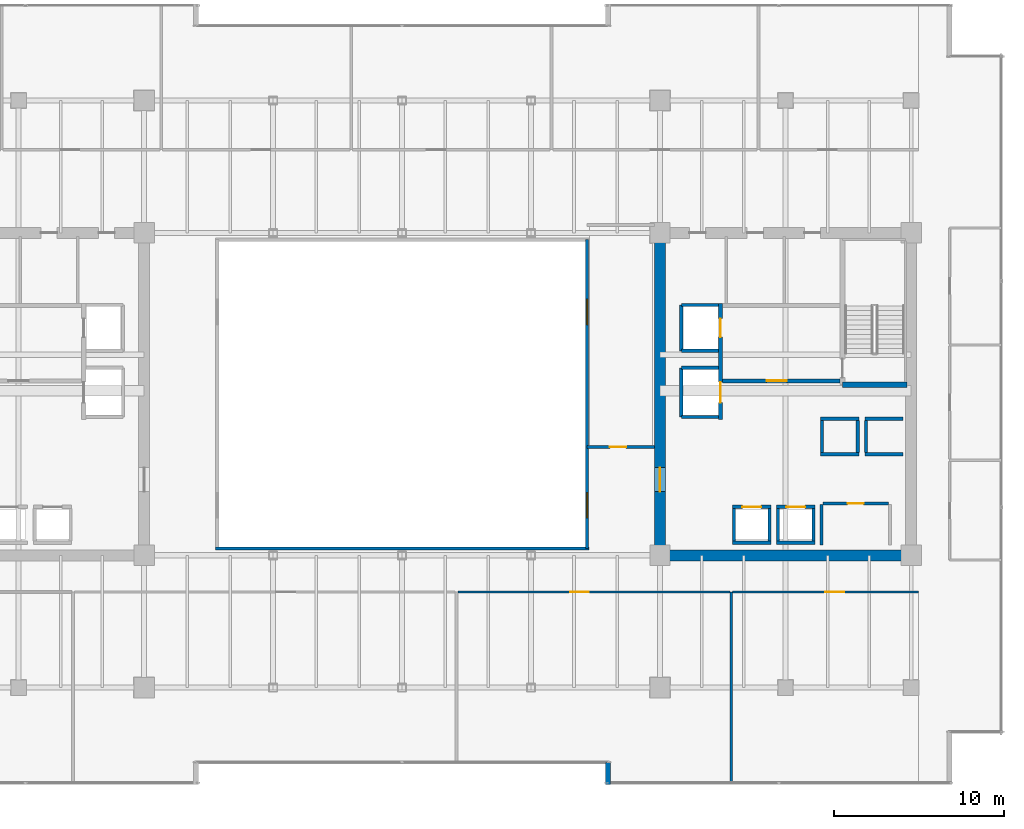
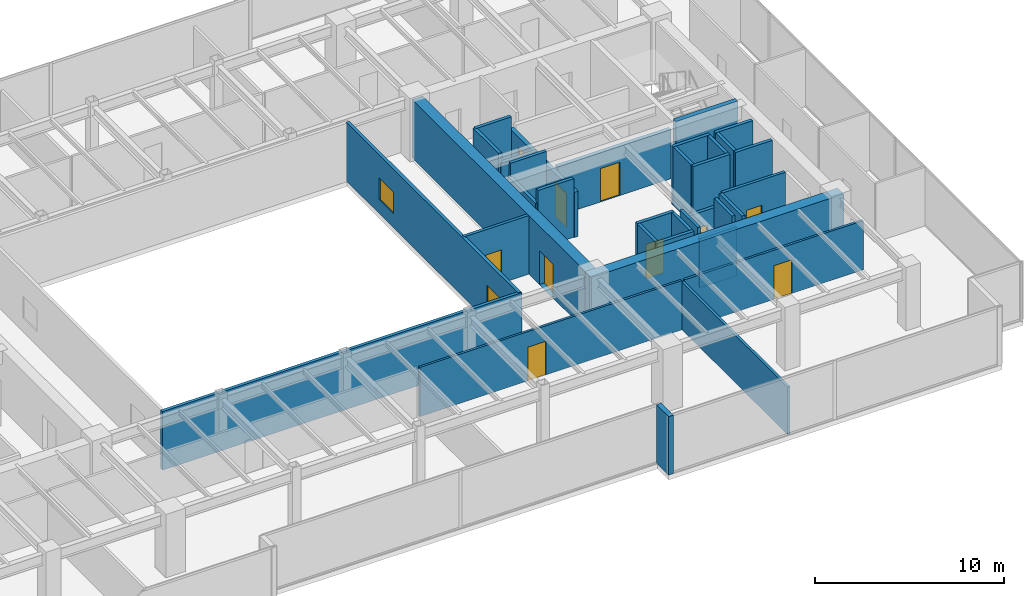
# One storey, part 26 of 33: 35 walls, 10 doors, 2 windows, 12 openings.
"""IFC4 building model written with IfcOpenShell, lengths in metres."""

import ifcopenshell
import ifcopenshell.guid

model = None  # the IFC model being written
_history = None  # IfcOwnerHistory: only IFC2X3 demands one
_inside = {}  # id of a spatial element -> (the spatial element, [elements in it])
_under = {}  # id of a project, library or spatial element -> (it, [spatial elements below it])
_declared = {}  # id of a project -> (the project, [libraries it declares])
_typed = {}  # id of a type object -> (the type object, [elements of that type])
_made_of = {}  # id of a material, layer set ... -> (it, [elements and type objects made of it])


def new_model(schema):
    """Start an empty IFC model of exactly this schema.

    Asked for "IFC4X3", IfcOpenShell would pick the latest addendum, in which some entities
    have other attributes; the version numbers below select the first issue.
    IFC2X3 requires an IfcOwnerHistory on every rooted entity: one is made here for all.
    """
    global model, _history
    if schema == "IFC4X3":
        model = ifcopenshell.file(schema_version=(4, 3, 0, 0))
    else:
        model = ifcopenshell.file(schema=schema)
    _inside.clear()
    _under.clear()
    _declared.clear()
    _typed.clear()
    _made_of.clear()
    _history = None
    if model.schema == "IFC2X3":
        org = make("IfcOrganization", Name="unknown")
        user = make(
            "IfcPersonAndOrganization",
            ThePerson=make("IfcPerson", FamilyName="unknown"),
            TheOrganization=org,
        )
        app = make(
            "IfcApplication",
            ApplicationDeveloper=org,
            Version="unknown",
            ApplicationFullName="unknown",
            ApplicationIdentifier="unknown",
        )
        _history = make(
            "IfcOwnerHistory",
            OwningUser=user,
            OwningApplication=app,
            ChangeAction="ADDED",
            CreationDate=0,
        )
    return model


def make(cls, **values):
    """One entity of the class cls with the attributes given. An attribute that is None is left unset."""
    return model.create_entity(
        cls, **{name: value for name, value in values.items() if value is not None}
    )


def rooted(cls, **values):
    """An entity with a GlobalId (a new one), such as an element, a storey or a relation."""
    return make(cls, GlobalId=ifcopenshell.guid.new(), OwnerHistory=_history, **values)


def si_unit(unit_type, name, prefix=None):
    """IfcSIUnit, for example si_unit("LENGTHUNIT", "METRE", prefix="MILLI")."""
    return make("IfcSIUnit", UnitType=unit_type, Prefix=prefix, Name=name)


def assignment(units):
    """IfcUnitAssignment: the units of a project."""
    return None if units is None else make("IfcUnitAssignment", Units=units)


def point(xyz):
    """IfcCartesianPoint."""
    return None if xyz is None else make("IfcCartesianPoint", Coordinates=xyz)


def direction(xyz):
    """IfcDirection."""
    return None if xyz is None else make("IfcDirection", DirectionRatios=xyz)


def frame(location, z_axis=None, x_axis=None):
    """IfcAxis2Placement3D, a coordinate frame: its origin and axes. An axis left out is left unset."""
    return make(
        "IfcAxis2Placement3D",
        Location=point(location),
        Axis=direction(z_axis),
        RefDirection=direction(x_axis),
    )


def frame_2d(location, x_axis=None):
    """IfcAxis2Placement2D, a coordinate frame in the plane: its origin and x axis."""
    return make(
        "IfcAxis2Placement2D", Location=point(location), RefDirection=direction(x_axis)
    )


def origin():
    """The frame at (0, 0, 0) with its axes left unset."""
    return frame((0.0, 0.0, 0.0))


def place(relative_to, where):
    """IfcLocalPlacement: puts the frame where relative to a parent placement (None: the world)."""
    return make(
        "IfcLocalPlacement", PlacementRelTo=relative_to, RelativePlacement=where
    )


def context(
    kind, dimensions, precision=None, world=None, true_north=None, identifier=None
):
    """IfcGeometricRepresentationContext, for example the 3D "Model" context."""
    return make(
        "IfcGeometricRepresentationContext",
        ContextIdentifier=identifier,
        ContextType=kind,
        CoordinateSpaceDimension=dimensions,
        Precision=precision,
        WorldCoordinateSystem=world,
        TrueNorth=true_north,
    )


def subcontext(parent, identifier, kind, view, scale=None):
    """IfcGeometricRepresentationSubContext, for example "Body" below "Model"."""
    return make(
        "IfcGeometricRepresentationSubContext",
        ContextIdentifier=identifier,
        ContextType=kind,
        ParentContext=parent,
        TargetScale=scale,
        TargetView=view,
    )


def project(units=None, contexts=None):
    """IfcProject with its units and contexts."""
    return rooted(
        "IfcProject",
        Name="project",
        RepresentationContexts=contexts,
        UnitsInContext=assignment(units),
    )


def spatial(cls, under=None, at=None, **own):
    """A site, building, storey or space (cls), placed at a placement, below another one or the project."""
    s = rooted(cls, ObjectPlacement=at, **own)
    if under is not None:
        _under.setdefault(under.id(), (under, []))[1].append(s)
    return s


def profile(cls, at=None, kind="AREA", **sizes):
    """A parametric profile (cls). Its sizes go by their IFC names, for example OverallWidth=200.0."""
    return make(cls, ProfileType=kind, Position=at, **sizes)


def rectangle(**sizes):
    """IfcRectangleProfileDef."""
    return profile("IfcRectangleProfileDef", **sizes)


def extrude(swept, where, along, depth):
    """IfcExtrudedAreaSolid: the profile swept, set in the frame where, extruded along a direction by depth."""
    return make(
        "IfcExtrudedAreaSolid",
        SweptArea=swept,
        Position=where,
        ExtrudedDirection=direction(along),
        Depth=depth,
    )


def shape(context_of_items, identifier, shape_type, items):
    """IfcShapeRepresentation: the items that make up one representation, for example the "Body"."""
    return make(
        "IfcShapeRepresentation",
        ContextOfItems=context_of_items,
        RepresentationIdentifier=identifier,
        RepresentationType=shape_type,
        Items=items,
    )


def source(mapping_origin, context_of_items, identifier, shape_type, items):
    """IfcRepresentationMap: a shape defined once, which mapped items show again and again."""
    return make(
        "IfcRepresentationMap",
        MappingOrigin=mapping_origin,
        MappedRepresentation=shape(context_of_items, identifier, shape_type, items),
    )


def transform(
    local_origin,
    x_axis=None,
    y_axis=None,
    z_axis=None,
    scale=None,
    scale2=None,
    scale3=None,
    uniform=True,
):
    """IfcCartesianTransformationOperator3D, or its non-uniform kind. x_axis, y_axis, z_axis: its Axis1, 2, 3."""
    if uniform:
        return make(
            "IfcCartesianTransformationOperator3D",
            Axis1=direction(x_axis),
            Axis2=direction(y_axis),
            LocalOrigin=point(local_origin),
            Scale=scale,
            Axis3=direction(z_axis),
        )
    return make(
        "IfcCartesianTransformationOperator3DnonUniform",
        Axis1=direction(x_axis),
        Axis2=direction(y_axis),
        LocalOrigin=point(local_origin),
        Scale=scale,
        Axis3=direction(z_axis),
        Scale2=scale2,
        Scale3=scale3,
    )


def mapped(mapping_source, mapping_target):
    """IfcMappedItem: shows the shape of a source again, moved by a transform."""
    return make(
        "IfcMappedItem", MappingSource=mapping_source, MappingTarget=mapping_target
    )


def material(Name=None, Category=None):
    """IfcMaterial."""
    return make("IfcMaterial", Name=Name, Category=Category)


def layer(
    of_material, thickness, ventilated=None, Name=None, Category=None, Priority=None
):
    """IfcMaterialLayer: one layer of a wall or slab, of a material (None: an air gap)."""
    return make(
        "IfcMaterialLayer",
        Material=of_material,
        LayerThickness=thickness,
        IsVentilated=ventilated,
        Name=Name,
        Category=Category,
        Priority=Priority,
    )


def layer_set(layers, Name=None):
    """IfcMaterialLayerSet."""
    return make("IfcMaterialLayerSet", MaterialLayers=layers, LayerSetName=Name)


def made_of(thing, what):
    """Note that an element or type object is made of a material, layer set ...; save() writes the relation."""
    if what is not None:
        _made_of.setdefault(what.id(), (what, []))[1].append(thing)
    return thing


def type_object(cls, material=None, **own):
    """A type object (cls), such as IfcWallType, which elements share."""
    return made_of(rooted(cls, **own), material)


def type_shapes(of_type, sources):
    """Give a type object the sources (RepresentationMaps) that its elements show as mapped items."""
    of_type.RepresentationMaps = sources


def element(
    cls,
    number,
    at=None,
    inside=None,
    cuts=None,
    type_object=None,
    material=None,
    context=None,
    identifier="Body",
    shape_type=None,
    held_by="IfcProductDefinitionShape",
    body=None,
    shapes=None,
    **own,
):
    """One element of the class cls, such as IfcWall. Its Tag is "e" and its number.

    at: its placement. inside: the storey or other place that contains it. cuts: it is an
    opening in that element (IfcRelVoidsElement). A single representation is given by context,
    identifier, shape_type and body (its items); several are given by shapes. held_by: the class
    of the entity that holds the representations. save() writes the other relations.
    """
    e = rooted(cls, Tag="e%d" % number, ObjectPlacement=at, **own)
    if body is not None:
        shapes = [shape(context, identifier, shape_type, body)]
    if shapes is not None:
        e.Representation = make(held_by, Representations=shapes)
    if inside is not None:
        _inside.setdefault(inside.id(), (inside, []))[1].append(e)
    if cuts is not None:
        rooted(
            "IfcRelVoidsElement", RelatingBuildingElement=cuts, RelatedOpeningElement=e
        )
    if type_object is not None:
        _typed.setdefault(type_object.id(), (type_object, []))[1].append(e)
    return made_of(e, material)


def fill(opening, filler):
    """IfcRelFillsElement: the door or window that sits in an opening."""
    return rooted(
        "IfcRelFillsElement",
        RelatingOpeningElement=opening,
        RelatedBuildingElement=filler,
    )


def aggregate(whole, parts):
    """IfcRelAggregates: a whole, such as a stair, and the parts it consists of."""
    return rooted("IfcRelAggregates", RelatingObject=whole, RelatedObjects=parts)


def save(model, path):
    """Write the relations noted so far, then the file.

    IfcRelAggregates (storeys below a building ...), IfcRelContainedInSpatialStructure (elements
    in a storey), IfcRelDefinesByType, IfcRelAssociatesMaterial and IfcRelDeclares: one each for
    every whole, place, type object, material and project.
    """
    for whole, parts in _under.values():
        aggregate(whole, parts)
    for where, things in _inside.values():
        rooted(
            "IfcRelContainedInSpatialStructure",
            RelatedElements=things,
            RelatingStructure=where,
        )
    for kind, things in _typed.values():
        rooted("IfcRelDefinesByType", RelatedObjects=things, RelatingType=kind)
    for what, things in _made_of.values():
        rooted("IfcRelAssociatesMaterial", RelatedObjects=things, RelatingMaterial=what)
    for by, libraries in _declared.values():
        rooted("IfcRelDeclares", RelatingContext=by, RelatedDefinitions=libraries)
    model.write(path)


model = new_model("IFC4")

# Units and contexts
model_context = context("Model", 3, precision=1e-05, world=origin(), true_north=direction((0.0, 1.0)))
body_context = subcontext(model_context, "Body", "Model", "MODEL_VIEW")
ifc_project = project(units=[si_unit("LENGTHUNIT", "METRE"), si_unit("AREAUNIT", "SQUARE_METRE"), si_unit("VOLUMEUNIT", "CUBIC_METRE"), si_unit("PLANEANGLEUNIT", "RADIAN"), si_unit("MASSUNIT", "GRAM", prefix="KILO")], contexts=[model_context])

# Site, building, storey
site_placement = place(None, origin())
site = spatial("IfcSite", under=ifc_project, at=site_placement, CompositionType="ELEMENT")
building_placement = place(site_placement, origin())
building = spatial("IfcBuilding", under=site, at=building_placement, Name="Haelvirn Gate Laboratories", CompositionType="ELEMENT")
storey_placement = place(building_placement, frame((0.0, 0.0, 166.60009765625)))
storey = spatial("IfcBuildingStorey", under=building, at=storey_placement, Name="L40", CompositionType="ELEMENT", Elevation=166.60009765625)

# Walls
ifc_material_1 = material(Name="Thermally-broken bronze aluminium rainscreen & mineral wool", Category="aluminium")
ifc_layer_1 = layer(ifc_material_1, 0.280029296875, Name="EW-TERR-280")
ifc_layer_set_1 = layer_set([ifc_layer_1], Name="Thermally-broken bronze aluminium rainscreen & mineral wool")
wall_type_1 = type_object("IfcWallType", Name="EW-TERR-280", PredefinedType="STANDARD", material=ifc_layer_set_1)
wall_1_placement = place(storey_placement, frame((49.5400390625, 2.587890625, 0.0), z_axis=(0.0, 0.0, 1.0), x_axis=(0.0, -1.0, 0.0)))
element("IfcWall", 1, at=wall_1_placement, inside=storey, type_object=wall_type_1, Name="L40 Atrium Recess Bronze Return Wall 03", PredefinedType="STANDARD", context=body_context, shape_type="SweptSolid", body=[
    extrude(rectangle(XDim=1.287841796875, YDim=0.280029296875, at=frame_2d((0.64404296875, 0.0))), origin(), (0.0, 0.0, 1.0), 3.789794921875),
])
ifc_material_2 = material(Name="Double-layer acoustic gypsum laboratory partition", Category="gypsum")
ifc_layer_2 = layer(ifc_material_2, 0.159912109375, Name="IW-ACOUST-160")
ifc_layer_set_2 = layer_set([ifc_layer_2], Name="Double-layer acoustic gypsum laboratory partition")
wall_type_2 = type_object("IfcWallType", Name="IW-ACOUST-160", PredefinedType="PARTITIONING", material=ifc_layer_set_2)
wall_2_placement = place(storey_placement, frame((56.800048828125, 1.409912109375, 0.0), z_axis=(0.0, 0.0, 1.0), x_axis=(0.0, 1.0, 0.0)))
element("IfcWall", 2, at=wall_2_placement, inside=storey, type_object=wall_type_2, Name="L40 Interior Wall IW-L40-SDIV-03", PredefinedType="PARTITIONING", context=body_context, shape_type="SweptSolid", body=[
    extrude(rectangle(XDim=11.22998046875, YDim=0.159912109375, at=frame_2d((5.614990234375, 0.0))), origin(), (0.0, 0.0, 1.0), 3.074951171875),
])

# Wall, opening, door
ifc_material_3 = material(Name="Fire-rated acoustic gypsum board partition", Category="gypsum")
ifc_layer_3 = layer(ifc_material_3, 0.175048828125, Name="IW-ACOUST-180")
ifc_layer_set_3 = layer_set([ifc_layer_3], Name="Fire-rated acoustic gypsum board partition")
wall_type_3 = type_object("IfcWallType", Name="IW-ACOUST-180", PredefinedType="PARTITIONING", material=ifc_layer_set_3)
wall_3_placement = place(storey_placement, frame((48.300048828125, 21.179931640625, 0.0), z_axis=(0.0, 0.0, 1.0), x_axis=(1.0, 0.0, 0.0)))
wall_3 = element("IfcWall", 3, at=wall_3_placement, inside=storey, type_object=wall_type_3, Name="L40 Interior Wall IW-L40-ASEM-S", PredefinedType="PARTITIONING", context=body_context, shape_type="SweptSolid", body=[
    extrude(rectangle(XDim=3.974853515625, YDim=0.175048828125, at=frame_2d((1.9873046875, 0.0))), origin(), (0.0, 0.0, 1.0), 3.789794921875),
])
opening_1_placement = place(wall_3_placement, frame((1.35009765625, 0.0, 0.0)))
opening_1 = element("IfcOpeningElement", 4, at=opening_1_placement, cuts=wall_3, Name="Opening FD4", PredefinedType="OPENING", context=body_context, shape_type="SweptSolid", body=[
    extrude(rectangle(XDim=0.949951171875, YDim=2.14990234375, at=frame_2d((0.47509765625, 1.074951171875))), frame((0.0, 0.09765625, 0.0), z_axis=(0.0, -1.0, 0.0), x_axis=(1.0, 0.0, 0.0)), (0.0, 0.0, 1.0), 0.195068359375),
])
ifc_material_4 = material(Name="Fire-rated steel SM355 core service door", Category="steel")
door_type_1 = type_object("IfcDoorType", Name="DR-FD-950", OperationType="NOTDEFINED", PredefinedType="DOOR", material=ifc_material_4)
shared_shape_1 = source(origin(), body_context, "Body", "SweptSolid", [
    extrude(rectangle(XDim=0.949951171875, YDim=2.14990234375, at=frame_2d((0.47509765625, 1.074951171875))), frame((0.0, 0.02490234375, 0.0), z_axis=(0.0, -1.0, 0.0), x_axis=(1.0, 0.0, 0.0)), (0.0, 0.0, 1.0), 0.050048828125),
])
type_shapes(door_type_1, [shared_shape_1])
door_1_placement = place(opening_1_placement, origin())
door_1 = element("IfcDoor", 5, at=door_1_placement, inside=storey, type_object=door_type_1, Name="L40 Atrium Bioinformatics Suite Door", OperationType="SINGLE_SWING_LEFT", OverallHeight=2.14990234375, OverallWidth=0.949951171875, PredefinedType="DOOR", context=body_context, shape_type="MappedRepresentation", body=[
    mapped(shared_shape_1, transform((0.0, 0.0, 0.0), scale=1.0)),
])
fill(opening_1, door_1)

# Wall, openings, windows
ifc_material_5 = material(Name="Tempered fire-rated borosilicate glass & anodised aluminium", Category="aluminium")
ifc_layer_4 = layer(ifc_material_5, 0.195068359375, Name="IW-GLAZ-200")
ifc_layer_set_4 = layer_set([ifc_layer_4], Name="Tempered fire-rated borosilicate glass & anodised aluminium")
wall_type_4 = type_object("IfcWallType", Name="IW-GLAZ-200", PredefinedType="SOLIDWALL", material=ifc_layer_set_4)
wall_4_placement = place(storey_placement, frame((48.300048828125, 15.199951171875, 0.0), z_axis=(0.0, 0.0, 1.0), x_axis=(0.0, 1.0, 0.0)))
wall_4 = element("IfcWall", 6, at=wall_4_placement, inside=storey, type_object=wall_type_4, Name="L40 Interior Wall IW-L40-ATRIUM-E", PredefinedType="SOLIDWALL", context=body_context, shape_type="SweptSolid", body=[
    extrude(rectangle(XDim=18.199951171875, YDim=0.195068359375, at=frame_2d((9.10009765625, 0.0))), origin(), (0.0, 0.0, 1.0), 3.789794921875),
])
opening_2_placement = place(wall_4_placement, frame((1.800048828125, 0.0, 0.89990234375)))
opening_2 = element("IfcOpeningElement", 7, at=opening_2_placement, cuts=wall_4, Name="Opening W5", PredefinedType="OPENING", context=body_context, shape_type="SweptSolid", body=[
    extrude(rectangle(XDim=1.5, YDim=1.39990234375, at=frame_2d((0.75, 0.699951171875))), frame((0.0, 0.107421875, 0.0), z_axis=(0.0, -1.0, 0.0), x_axis=(1.0, 0.0, 0.0)), (0.0, 0.0, 1.0), 0.215087890625),
])
opening_3_placement = place(wall_4_placement, frame((13.199951171875, 0.0, 0.89990234375)))
opening_3 = element("IfcOpeningElement", 8, at=opening_3_placement, cuts=wall_4, Name="Opening W5", PredefinedType="OPENING", context=body_context, shape_type="SweptSolid", body=[
    extrude(rectangle(XDim=1.5, YDim=1.39990234375, at=frame_2d((0.75, 0.699951171875))), frame((0.0, 0.107421875, 0.0), z_axis=(0.0, -1.0, 0.0), x_axis=(1.0, 0.0, 0.0)), (0.0, 0.0, 1.0), 0.215087890625),
])
ifc_material_6 = material(Name="Fire-rated EI 120 borosilicate atrium vision glazing", Category="glass")
window_type = type_object("IfcWindowType", Name="WN-ATR-1500", PartitioningType="SINGLE_PANEL", PredefinedType="WINDOW", material=ifc_material_6)
shared_shape_2 = source(origin(), body_context, "Body", "SweptSolid", [
    extrude(rectangle(XDim=1.5, YDim=1.39990234375, at=frame_2d((0.75, 0.699951171875))), frame((0.0, 0.030029296875, 0.0), z_axis=(0.0, -1.0, 0.0), x_axis=(1.0, 0.0, 0.0)), (0.0, 0.0, 1.0), 0.06005859375),
])
type_shapes(window_type, [shared_shape_2])
window_1_placement = place(opening_2_placement, origin())
window_1 = element("IfcWindow", 9, at=window_1_placement, inside=storey, type_object=window_type, Name="L40 Atrium Observation Window 1", OverallHeight=1.39990234375, OverallWidth=1.5, PartitioningType="SINGLE_PANEL", PredefinedType="WINDOW", context=body_context, shape_type="MappedRepresentation", body=[
    mapped(shared_shape_2, transform((0.0, 0.0, 0.0), scale=1.0)),
])
fill(opening_2, window_1)
window_2_placement = place(opening_3_placement, origin())
window_2 = element("IfcWindow", 10, at=window_2_placement, inside=storey, type_object=window_type, Name="L40 Atrium Observation Window 2", OverallHeight=1.39990234375, OverallWidth=1.5, PartitioningType="SINGLE_PANEL", PredefinedType="WINDOW", context=body_context, shape_type="MappedRepresentation", body=[
    mapped(shared_shape_2, transform((0.0, 0.0, 0.0), scale=1.0)),
])
fill(opening_3, window_2)

# Wall
wall_5_placement = place(storey_placement, frame((26.39990234375, 15.199951171875, 0.0), z_axis=(0.0, 0.0, 1.0), x_axis=(1.0, 0.0, 0.0)))
element("IfcWall", 11, at=wall_5_placement, inside=storey, type_object=wall_type_4, Name="L40 Interior Wall IW-L40-ATRIUM-S", PredefinedType="SOLIDWALL", context=body_context, shape_type="SweptSolid", body=[
    extrude(rectangle(XDim=22.0, YDim=0.195068359375, at=frame_2d((11.0, 0.0))), origin(), (0.0, 0.0, 1.0), 3.789794921875),
])

# Wall, opening, door
ifc_material_7 = material(Name="Acoustic mineral-wool gypsum board partition", Category="gypsum")
ifc_layer_5 = layer(ifc_material_7, 0.139892578125, Name="IW-PART-140")
ifc_layer_set_5 = layer_set([ifc_layer_5], Name="Acoustic mineral-wool gypsum board partition")
wall_type_5 = type_object("IfcWallType", Name="IW-PART-140", PredefinedType="PARTITIONING", material=ifc_layer_set_5)
wall_6_placement = place(storey_placement, frame((40.679931640625, 12.639892578125, 0.0), z_axis=(0.0, 0.0, 1.0), x_axis=(1.0, 0.0, 0.0)))
wall_6 = element("IfcWall", 12, at=wall_6_placement, inside=storey, type_object=wall_type_5, Name="L40 Interior Wall IW-L40-SCORR-03", PredefinedType="PARTITIONING", context=body_context, shape_type="SweptSolid", body=[
    extrude(rectangle(XDim=16.0400390625, YDim=0.139892578125, at=frame_2d((8.02001953125, 0.0))), origin(), (0.0, 0.0, 1.0), 3.18701171875),
])
opening_4_placement = place(wall_6_placement, frame((6.615478515625, 0.0, 0.0)))
opening_4 = element("IfcOpeningElement", 13, at=opening_4_placement, cuts=wall_6, Name="Opening D1", PredefinedType="OPENING", context=body_context, shape_type="SweptSolid", body=[
    extrude(rectangle(XDim=1.10009765625, YDim=2.179931640625, at=frame_2d((0.550048828125, 1.08984375))), frame((0.0, 0.080078125, 0.0), z_axis=(0.0, -1.0, 0.0), x_axis=(1.0, 0.0, 0.0)), (0.0, 0.0, 1.0), 0.159912109375),
])
ifc_material_8 = material(Name="Vision-panel acoustic solid-core timber lab door", Category="wood")
door_type_2 = type_object("IfcDoorType", Name="DR-LAB-1100", OperationType="NOTDEFINED", PredefinedType="DOOR", material=ifc_material_8)
shared_shape_3 = source(origin(), body_context, "Body", "SweptSolid", [
    extrude(rectangle(XDim=1.10009765625, YDim=2.179931640625, at=frame_2d((0.550048828125, 1.08984375))), frame((0.0, 0.02490234375, 0.0), z_axis=(0.0, -1.0, 0.0), x_axis=(1.0, 0.0, 0.0)), (0.0, 0.0, 1.0), 0.050048828125),
])
type_shapes(door_type_2, [shared_shape_3])
door_2_placement = place(opening_4_placement, origin())
door_2 = element("IfcDoor", 14, at=door_2_placement, inside=storey, type_object=door_type_2, Name="L40 Bioinformatics Dry-Lab Workspace Door S3", OperationType="SINGLE_SWING_LEFT", OverallHeight=2.179931640625, OverallWidth=1.10009765625, PredefinedType="DOOR", context=body_context, shape_type="MappedRepresentation", body=[
    mapped(shared_shape_3, transform((0.0, 0.0, 0.0), scale=1.0)),
])
fill(opening_4, door_2)

wall_7_placement = place(storey_placement, frame((56.8798828125, 12.639892578125, 0.0), z_axis=(0.0, 0.0, 1.0), x_axis=(1.0, 0.0, 0.0)))
wall_7 = element("IfcWall", 15, at=wall_7_placement, inside=storey, type_object=wall_type_5, Name="L40 Interior Wall IW-L40-SCORR-04", PredefinedType="PARTITIONING", context=body_context, shape_type="SweptSolid", body=[
    extrude(rectangle(XDim=10.940185546875, YDim=0.139892578125, at=frame_2d((5.47021484375, 0.0))), origin(), (0.0, 0.0, 1.0), 3.18701171875),
])
opening_5_placement = place(wall_7_placement, frame((5.468505859375, 0.0, 0.0)))
opening_5 = element("IfcOpeningElement", 16, at=opening_5_placement, cuts=wall_7, Name="Opening D1", PredefinedType="OPENING", context=body_context, shape_type="SweptSolid", body=[
    extrude(rectangle(XDim=1.10009765625, YDim=2.179931640625, at=frame_2d((0.550048828125, 1.08984375))), frame((0.0, 0.080078125, 0.0), z_axis=(0.0, -1.0, 0.0), x_axis=(1.0, 0.0, 0.0)), (0.0, 0.0, 1.0), 0.159912109375),
])
door_3_placement = place(opening_5_placement, origin())
door_3 = element("IfcDoor", 17, at=door_3_placement, inside=storey, type_object=door_type_2, Name="L40 Translational Data Office Door S4", OperationType="SINGLE_SWING_RIGHT", OverallHeight=2.179931640625, OverallWidth=1.10009765625, PredefinedType="DOOR", context=body_context, shape_type="MappedRepresentation", body=[
    mapped(shared_shape_3, transform((0.0, 0.0, 0.0), scale=1.0)),
])
fill(opening_5, door_3)

# Walls
ifc_material_9 = material(Name="Concrete C40/50", Category="concrete")
ifc_layer_6 = layer(ifc_material_9, 0.179931640625, Name="IW-SHAFT-180")
ifc_layer_set_6 = layer_set([ifc_layer_6], Name="Concrete C40/50")
wall_type_6 = type_object("IfcWallType", Name="IW-SHAFT-180", PredefinedType="SOLIDWALL", material=ifc_layer_set_6)
for number, where, z_axis, x_axis, name in (
    (18, (59.550048828125, 15.64990234375, 0.0), (0.0, 0.0, 1.0), (0.0, 1.0, 0.0), "L40 Interior Wall IW-L40-PL7-SD"),
    (19, (61.64990234375, 15.64990234375, 0.0), (0.0, 0.0, 1.0), (0.0, 1.0, 0.0), "L40 Interior Wall IW-L40-PL7-SDE"),
    (20, (56.949951171875, 15.64990234375, 0.0), (0.0, 0.0, 1.0), (0.0, 1.0, 0.0), "L40 Interior Wall IW-L40-PL8-SD"),
    (21, (59.050048828125, 15.64990234375, 0.0), (0.0, 0.0, 1.0), (0.0, 1.0, 0.0), "L40 Interior Wall IW-L40-PL8-SDE"),
):
    element("IfcWall", number, at=place(storey_placement, frame(where, z_axis=z_axis, x_axis=x_axis)), inside=storey, type_object=wall_type_6, Name=name, PredefinedType="SOLIDWALL", context=body_context, shape_type="SweptSolid", body=[
        extrude(rectangle(XDim=1.900146484375, YDim=0.179931640625, at=frame_2d((0.9501953125, 0.0))), origin(), (0.0, 0.0, 1.0), 3.789794921875),
    ])
for number, where, z_axis, x_axis, name in (
    (22, (64.75, 20.85009765625, 0.0), (0.0, 0.0, 1.0), (0.0, 1.0, 0.0), "L40 Interior Wall IW-L40-PL11-SD"),
    (23, (62.14990234375, 20.85009765625, 0.0), (0.0, 0.0, 1.0), (0.0, 1.0, 0.0), "L40 Interior Wall IW-L40-PL12-SD"),
    (24, (64.25, 20.85009765625, 0.0), (0.0, 0.0, 1.0), (0.0, 1.0, 0.0), "L40 Interior Wall IW-L40-PL12-SDE"),
):
    element("IfcWall", number, at=place(storey_placement, frame(where, z_axis=z_axis, x_axis=x_axis)), inside=storey, type_object=wall_type_6, Name=name, PredefinedType="SOLIDWALL", context=body_context, shape_type="SweptSolid", body=[
        extrude(rectangle(XDim=1.89990234375, YDim=0.179931640625, at=frame_2d((0.949951171875, 0.0))), origin(), (0.0, 0.0, 1.0), 3.789794921875),
    ])

# Wall, opening, door
wall_8_placement = place(storey_placement, frame((62.199951171875, 17.85009765625, 0.0), z_axis=(0.0, 0.0, 1.0), x_axis=(1.0, 0.0, 0.0)))
wall_8 = element("IfcWall", 25, at=wall_8_placement, inside=storey, type_object=wall_type_6, Name="L40 Interior Wall IW-L40-E-FREED-LN-1", PredefinedType="SOLIDWALL", context=body_context, shape_type="SweptSolid", body=[
    extrude(rectangle(XDim=3.85009765625, YDim=0.179931640625, at=frame_2d((1.925048828125, 0.0))), origin(), (0.0, 0.0, 1.0), 3.789794921875),
])
opening_6_placement = place(wall_8_placement, frame((1.449951171875, 0.0, 0.0)))
opening_6 = element("IfcOpeningElement", 26, at=opening_6_placement, cuts=wall_8, Name="Opening FD4", PredefinedType="OPENING", context=body_context, shape_type="SweptSolid", body=[
    extrude(rectangle(XDim=0.949951171875, YDim=2.14990234375, at=frame_2d((0.47509765625, 1.074951171875))), frame((0.0, 0.10009765625, 0.0), z_axis=(0.0, -1.0, 0.0), x_axis=(1.0, 0.0, 0.0)), (0.0, 0.0, 1.0), 0.199951171875),
])
door_4_placement = place(opening_6_placement, origin())
door_4 = element("IfcDoor", 27, at=door_4_placement, inside=storey, type_object=door_type_1, Name="L40 Cryo-Dewar & Sterile Glassware Room Door", OperationType="SINGLE_SWING_LEFT", OverallHeight=2.14990234375, OverallWidth=0.949951171875, PredefinedType="DOOR", context=body_context, shape_type="MappedRepresentation", body=[
    mapped(shared_shape_1, transform((0.0, 0.0, 0.0), scale=1.0)),
])
fill(opening_6, door_4)

# Wall
wall_9_placement = place(storey_placement, frame((62.110107421875, 15.39990234375, 0.0), z_axis=(0.0, 0.0, 1.0), x_axis=(0.0, 1.0, 0.0)))
element("IfcWall", 28, at=wall_9_placement, inside=storey, type_object=wall_type_6, Name="L40 Interior Wall IW-L40-E-FREED-LE-1", PredefinedType="SOLIDWALL", context=body_context, shape_type="SweptSolid", body=[
    extrude(rectangle(XDim=2.400146484375, YDim=0.179931640625, at=frame_2d((1.2001953125, 0.0))), origin(), (0.0, 0.0, 1.0), 3.789794921875),
])

# Wall, opening, door
ifc_layer_7 = layer(ifc_material_9, 0.199951171875, Name="IW-SHAFT-200")
ifc_layer_set_7 = layer_set([ifc_layer_7], Name="Concrete C40/50")
wall_type_7 = type_object("IfcWallType", Name="IW-SHAFT-200", PredefinedType="SOLIDWALL", material=ifc_layer_set_7)
wall_10_placement = place(storey_placement, frame((59.469970703125, 17.64990234375, 0.0), z_axis=(0.0, 0.0, 1.0), x_axis=(1.0, 0.0, 0.0)))
wall_10 = element("IfcWall", 29, at=wall_10_placement, inside=storey, type_object=wall_type_7, Name="L40 Interior Wall IW-L40-PL7-FR", PredefinedType="SOLIDWALL", context=body_context, shape_type="SweptSolid", body=[
    extrude(rectangle(XDim=2.260009765625, YDim=0.199951171875, at=frame_2d((1.1298828125, 0.0))), origin(), (0.0, 0.0, 1.0), 3.18701171875),
])
opening_7_placement = place(wall_10_placement, frame((0.580078125, 0.0, 0.0)))
opening_7 = element("IfcOpeningElement", 30, at=opening_7_placement, cuts=wall_10, Name="Opening LD2", PredefinedType="OPENING", context=body_context, shape_type="SweptSolid", body=[
    extrude(rectangle(XDim=1.10009765625, YDim=2.219970703125, at=frame_2d((0.550048828125, 1.10986328125))), frame((0.0, 0.10986328125, 0.0), z_axis=(0.0, -1.0, 0.0), x_axis=(1.0, 0.0, 0.0)), (0.0, 0.0, 1.0), 0.219970703125),
])
ifc_material_10 = material(Name="Bronze stainless 316L sliding lift landing door")
door_type_3 = type_object("IfcDoorType", Name="DR-LD-1100", OperationType="NOTDEFINED", PredefinedType="USERDEFINED", material=ifc_material_10)
shared_shape_4 = source(origin(), body_context, "Body", "SweptSolid", [
    extrude(rectangle(XDim=1.10009765625, YDim=2.219970703125, at=frame_2d((0.550048828125, 1.10986328125))), frame((0.0, 0.02490234375, 0.0), z_axis=(0.0, -1.0, 0.0), x_axis=(1.0, 0.0, 0.0)), (0.0, 0.0, 1.0), 0.050048828125),
])
type_shapes(door_type_3, [shared_shape_4])
door_5_placement = place(opening_7_placement, origin())
door_5 = element("IfcDoor", 31, at=door_5_placement, inside=storey, type_object=door_type_3, Name="L40 Passenger Lift PL7 Landing Door", ObjectType="LANDING_DOOR", OperationType="SLIDING_TO_LEFT", OverallHeight=2.219970703125, OverallWidth=1.10009765625, PredefinedType="USERDEFINED", context=body_context, shape_type="MappedRepresentation", body=[
    mapped(shared_shape_4, transform((0.0, 0.0, 0.0), scale=1.0)),
])
fill(opening_7, door_5)

# Wall
wall_11_placement = place(storey_placement, frame((59.469970703125, 15.550048828125, 0.0), z_axis=(0.0, 0.0, 1.0), x_axis=(1.0, 0.0, 0.0)))
element("IfcWall", 32, at=wall_11_placement, inside=storey, type_object=wall_type_7, Name="L40 Interior Wall IW-L40-PL7-BK", PredefinedType="SOLIDWALL", context=body_context, shape_type="SweptSolid", body=[
    extrude(rectangle(XDim=2.260009765625, YDim=0.199951171875, at=frame_2d((1.1298828125, 0.0))), origin(), (0.0, 0.0, 1.0), 3.18701171875),
])

# Wall, opening, door
wall_12_placement = place(storey_placement, frame((56.8701171875, 17.64990234375, 0.0), z_axis=(0.0, 0.0, 1.0), x_axis=(1.0, 0.0, 0.0)))
wall_12 = element("IfcWall", 33, at=wall_12_placement, inside=storey, type_object=wall_type_7, Name="L40 Interior Wall IW-L40-PL8-FR", PredefinedType="SOLIDWALL", context=body_context, shape_type="SweptSolid", body=[
    extrude(rectangle(XDim=2.259765625, YDim=0.199951171875, at=frame_2d((1.1298828125, 0.0))), origin(), (0.0, 0.0, 1.0), 3.789794921875),
])
opening_8_placement = place(wall_12_placement, frame((0.580078125, 0.0, 0.0)))
opening_8 = element("IfcOpeningElement", 34, at=opening_8_placement, cuts=wall_12, Name="Opening LD2", PredefinedType="OPENING", context=body_context, shape_type="SweptSolid", body=[
    extrude(rectangle(XDim=1.10009765625, YDim=2.219970703125, at=frame_2d((0.550048828125, 1.10986328125))), frame((0.0, 0.10986328125, 0.0), z_axis=(0.0, -1.0, 0.0), x_axis=(1.0, 0.0, 0.0)), (0.0, 0.0, 1.0), 0.219970703125),
])
door_6_placement = place(opening_8_placement, origin())
door_6 = element("IfcDoor", 35, at=door_6_placement, inside=storey, type_object=door_type_3, Name="L40 Passenger Lift PL8 Landing Door", ObjectType="LANDING_DOOR", OperationType="SLIDING_TO_RIGHT", OverallHeight=2.219970703125, OverallWidth=1.10009765625, PredefinedType="USERDEFINED", context=body_context, shape_type="MappedRepresentation", body=[
    mapped(shared_shape_4, transform((0.0, 0.0, 0.0), scale=1.0)),
])
fill(opening_8, door_6)

# Walls
wall_13_placement = place(storey_placement, frame((56.8701171875, 15.550048828125, 0.0), z_axis=(0.0, 0.0, 1.0), x_axis=(1.0, 0.0, 0.0)))
element("IfcWall", 36, at=wall_13_placement, inside=storey, type_object=wall_type_7, Name="L40 Interior Wall IW-L40-PL8-BK", PredefinedType="SOLIDWALL", context=body_context, shape_type="SweptSolid", body=[
    extrude(rectangle(XDim=2.259765625, YDim=0.199951171875, at=frame_2d((1.1298828125, 0.0))), origin(), (0.0, 0.0, 1.0), 3.789794921875),
])
for number, where, z_axis, x_axis, name in (
    (37, (64.669921875, 20.75, 0.0), (0.0, 0.0, 1.0), (1.0, 0.0, 0.0), "L40 Interior Wall IW-L40-PL11-FR"),
    (38, (64.669921875, 22.85009765625, 0.0), (0.0, 0.0, 1.0), (1.0, 0.0, 0.0), "L40 Interior Wall IW-L40-PL11-BK"),
    (39, (62.070068359375, 20.75, 0.0), (0.0, 0.0, 1.0), (1.0, 0.0, 0.0), "L40 Interior Wall IW-L40-PL12-FR"),
    (40, (62.070068359375, 22.85009765625, 0.0), (0.0, 0.0, 1.0), (1.0, 0.0, 0.0), "L40 Interior Wall IW-L40-PL12-BK"),
):
    element("IfcWall", number, at=place(storey_placement, frame(where, z_axis=z_axis, x_axis=x_axis)), inside=storey, type_object=wall_type_7, Name=name, PredefinedType="SOLIDWALL", context=body_context, shape_type="SweptSolid", body=[
        extrude(rectangle(XDim=2.260009765625, YDim=0.199951171875, at=frame_2d((1.1298828125, 0.0))), origin(), (0.0, 0.0, 1.0), 3.789794921875),
    ])
wall_14_placement = place(storey_placement, frame((53.85009765625, 26.85009765625, 0.0), z_axis=(0.0, 0.0, 1.0), x_axis=(0.0, 1.0, 0.0)))
element("IfcWall", 41, at=wall_14_placement, inside=storey, type_object=wall_type_7, Name="L40 Interior Wall IW-L40-FL2-BK", PredefinedType="SOLIDWALL", context=body_context, shape_type="SweptSolid", body=[
    extrude(rectangle(XDim=2.699951171875, YDim=0.199951171875, at=frame_2d((1.35009765625, 0.0))), origin(), (0.0, 0.0, 1.0), 3.789794921875),
])
wall_15_placement = place(storey_placement, frame((53.85009765625, 29.550048828125, 0.0), z_axis=(0.0, 0.0, 1.0), x_axis=(1.0, 0.0, 0.0)))
element("IfcWall", 42, at=wall_15_placement, inside=storey, type_object=wall_type_7, Name="L40 Interior Wall IW-L40-FL2-N", PredefinedType="SOLIDWALL", context=body_context, shape_type="SweptSolid", body=[
    extrude(rectangle(XDim=2.18994140625, YDim=0.199951171875, at=frame_2d((1.094970703125, 0.0))), origin(), (0.0, 0.0, 1.0), 3.789794921875),
])
wall_16_placement = place(storey_placement, frame((53.85009765625, 26.85009765625, 0.0), z_axis=(0.0, 0.0, 1.0), x_axis=(1.0, 0.0, 0.0)))
element("IfcWall", 43, at=wall_16_placement, inside=storey, type_object=wall_type_7, Name="L40 Interior Wall IW-L40-FL2-S", PredefinedType="SOLIDWALL", context=body_context, shape_type="SweptSolid", body=[
    extrude(rectangle(XDim=2.18994140625, YDim=0.199951171875, at=frame_2d((1.094970703125, 0.0))), origin(), (0.0, 0.0, 1.0), 3.18701171875),
])
wall_17_placement = place(storey_placement, frame((53.85009765625, 22.949951171875, 0.0), z_axis=(0.0, 0.0, 1.0), x_axis=(0.0, 1.0, 0.0)))
element("IfcWall", 44, at=wall_17_placement, inside=storey, type_object=wall_type_7, Name="L40 Interior Wall IW-L40-SL2-BK", PredefinedType="SOLIDWALL", context=body_context, shape_type="SweptSolid", body=[
    extrude(rectangle(XDim=2.900146484375, YDim=0.199951171875, at=frame_2d((1.4501953125, 0.0))), origin(), (0.0, 0.0, 1.0), 2.9248046875),
])
for number, where, z_axis, x_axis, name in (
    (45, (53.85009765625, 25.85009765625, 0.0), (0.0, 0.0, 1.0), (1.0, 0.0, 0.0), "L40 Interior Wall IW-L40-SL2-N"),
    (46, (53.85009765625, 22.949951171875, 0.0), (0.0, 0.0, 1.0), (1.0, 0.0, 0.0), "L40 Interior Wall IW-L40-SL2-S"),
):
    element("IfcWall", number, at=place(storey_placement, frame(where, z_axis=z_axis, x_axis=x_axis)), inside=storey, type_object=wall_type_7, Name=name, PredefinedType="SOLIDWALL", context=body_context, shape_type="SweptSolid", body=[
        extrude(rectangle(XDim=2.18994140625, YDim=0.199951171875, at=frame_2d((1.094970703125, 0.0))), origin(), (0.0, 0.0, 1.0), 3.789794921875),
    ])

# Wall, opening, door
ifc_layer_8 = layer(ifc_material_9, 0.239990234375, Name="IW-SHAFT-240")
ifc_layer_set_8 = layer_set([ifc_layer_8], Name="Concrete C40/50")
wall_type_8 = type_object("IfcWallType", Name="IW-SHAFT-240", PredefinedType="SOLIDWALL", material=ifc_layer_set_8)
wall_18_placement = place(storey_placement, frame((56.280029296875, 25.080078125, 0.0), z_axis=(0.0, 0.0, 1.0), x_axis=(1.0, 0.0, 0.0)))
wall_18 = element("IfcWall", 47, at=wall_18_placement, inside=storey, type_object=wall_type_8, Name="L40 Interior Wall IW-L40-E-FF-S", PredefinedType="SOLIDWALL", context=body_context, shape_type="SweptSolid", body=[
    extrude(rectangle(XDim=6.919921875, YDim=0.239990234375, at=frame_2d((3.4599609375, 0.0))), origin(), (0.0, 0.0, 1.0), 3.18701171875),
])
opening_9_placement = place(wall_18_placement, frame((2.60009765625, 0.0, 0.0)))
opening_9 = element("IfcOpeningElement", 48, at=opening_9_placement, cuts=wall_18, Name="Opening FD2", PredefinedType="OPENING", context=body_context, shape_type="SweptSolid", body=[
    extrude(rectangle(XDim=1.199951171875, YDim=2.159912109375, at=frame_2d((0.60009765625, 1.080078125))), frame((0.0, 0.1298828125, 0.0), z_axis=(0.0, -1.0, 0.0), x_axis=(1.0, 0.0, 0.0)), (0.0, 0.0, 1.0), 0.260009765625),
])
ifc_material_11 = material(Name="Fire-rated steel SM355 compartment door", Category="steel")
door_type_4 = type_object("IfcDoorType", Name="DR-FD-1200", OperationType="NOTDEFINED", PredefinedType="DOOR", material=ifc_material_11)
shared_shape_5 = source(origin(), body_context, "Body", "SweptSolid", [
    extrude(rectangle(XDim=1.199951171875, YDim=2.159912109375, at=frame_2d((0.60009765625, 1.080078125))), frame((0.0, 0.02490234375, 0.0), z_axis=(0.0, -1.0, 0.0), x_axis=(1.0, 0.0, 0.0)), (0.0, 0.0, 1.0), 0.050048828125),
])
type_shapes(door_type_4, [shared_shape_5])
door_7_placement = place(opening_9_placement, origin())
door_7 = element("IfcDoor", 49, at=door_7_placement, inside=storey, type_object=door_type_4, Name="L40 East Firefighting Lobby Door", OperationType="SINGLE_SWING_LEFT", OverallHeight=2.159912109375, OverallWidth=1.199951171875, PredefinedType="DOOR", context=body_context, shape_type="MappedRepresentation", body=[
    mapped(shared_shape_5, transform((0.0, 0.0, 0.0), scale=1.0)),
])
fill(opening_9, door_7)

# Wall, openings, doors
wall_19_placement = place(storey_placement, frame((56.159912109375, 22.800048828125, 0.0), z_axis=(0.0, 0.0, 1.0), x_axis=(0.0, 1.0, 0.0)))
wall_19 = element("IfcWall", 50, at=wall_19_placement, inside=storey, type_object=wall_type_8, Name="L40 Interior Wall IW-L40-E-FF-E", PredefinedType="SOLIDWALL", context=body_context, shape_type="SweptSolid", body=[
    extrude(rectangle(XDim=6.849853515625, YDim=0.239990234375, at=frame_2d((3.4248046875, 0.0))), origin(), (0.0, 0.0, 1.0), 2.9248046875),
])
opening_10_placement = place(wall_19_placement, frame((4.85009765625, 0.0, 0.0)))
opening_10 = element("IfcOpeningElement", 51, at=opening_10_placement, cuts=wall_19, Name="Opening LD2", PredefinedType="OPENING", context=body_context, shape_type="SweptSolid", body=[
    extrude(rectangle(XDim=1.10009765625, YDim=2.219970703125, at=frame_2d((0.550048828125, 1.10986328125))), frame((0.0, 0.1298828125, 0.0), z_axis=(0.0, -1.0, 0.0), x_axis=(1.0, 0.0, 0.0)), (0.0, 0.0, 1.0), 0.260009765625),
])
opening_11_placement = place(wall_19_placement, frame((1.0, 0.0, 0.0)))
opening_11 = element("IfcOpeningElement", 52, at=opening_11_placement, cuts=wall_19, Name="Opening LD1", PredefinedType="OPENING", context=body_context, shape_type="SweptSolid", body=[
    extrude(rectangle(XDim=1.199951171875, YDim=2.219970703125, at=frame_2d((0.60009765625, 1.10986328125))), frame((0.0, 0.1298828125, 0.0), z_axis=(0.0, -1.0, 0.0), x_axis=(1.0, 0.0, 0.0)), (0.0, 0.0, 1.0), 0.260009765625),
])
door_8_placement = place(opening_10_placement, origin())
door_8 = element("IfcDoor", 53, at=door_8_placement, inside=storey, type_object=door_type_3, Name="L40 Firefighting Lift FL2 Landing Door", ObjectType="LANDING_DOOR", OperationType="SLIDING_TO_RIGHT", OverallHeight=2.219970703125, OverallWidth=1.10009765625, PredefinedType="USERDEFINED", context=body_context, shape_type="MappedRepresentation", body=[
    mapped(shared_shape_4, transform((0.0, 0.0, 0.0), scale=1.0)),
])
fill(opening_10, door_8)
ifc_material_12 = material(Name="Stainless steel 316L sliding goods landing door", Category="steel")
door_type_5 = type_object("IfcDoorType", Name="DR-LD-1200", OperationType="NOTDEFINED", PredefinedType="USERDEFINED", material=ifc_material_12)
shared_shape_6 = source(origin(), body_context, "Body", "SweptSolid", [
    extrude(rectangle(XDim=1.199951171875, YDim=2.219970703125, at=frame_2d((0.60009765625, 1.10986328125))), frame((0.0, 0.02490234375, 0.0), z_axis=(0.0, -1.0, 0.0), x_axis=(1.0, 0.0, 0.0)), (0.0, 0.0, 1.0), 0.050048828125),
])
type_shapes(door_type_5, [shared_shape_6])
door_9_placement = place(opening_11_placement, origin())
door_9 = element("IfcDoor", 54, at=door_9_placement, inside=storey, type_object=door_type_5, Name="L40 Service Lift SL2 Landing Door", ObjectType="LANDING_DOOR", OperationType="SLIDING_TO_LEFT", OverallHeight=2.219970703125, OverallWidth=1.199951171875, PredefinedType="USERDEFINED", context=body_context, shape_type="MappedRepresentation", body=[
    mapped(shared_shape_6, transform((0.0, 0.0, 0.0), scale=1.0)),
])
fill(opening_11, door_9)

# Wall
ifc_material_13 = material(Name="Concrete C60/75", Category="concrete")
ifc_layer_9 = layer(ifc_material_13, 0.64990234375, Name="SW-CORE-650")
ifc_layer_set_9 = layer_set([ifc_layer_9], Name="Concrete C60/75")
wall_type_9 = type_object("IfcWallType", Name="SW-CORE-650", PredefinedType="SHEAR", material=ifc_layer_set_9)
wall_20_placement = place(storey_placement, frame((52.27490234375, 14.800048828125, 0.0), z_axis=(0.0, 0.0, 1.0), x_axis=(1.0, 0.0, 0.0)))
element("IfcWall", 55, at=wall_20_placement, inside=storey, type_object=wall_type_9, Name="L40 E Core Shear Wall S", PredefinedType="SHEAR", context=body_context, shape_type="SweptSolid", body=[
    extrude(rectangle(XDim=15.4501953125, YDim=0.64990234375, at=frame_2d((7.72509765625, 0.0))), origin(), (0.0, 0.0, 1.0), 3.789794921875),
])

# Wall, opening, door
wall_21_placement = place(storey_placement, frame((52.60009765625, 15.125, 0.0), z_axis=(0.0, 0.0, 1.0), x_axis=(0.0, 1.0, 0.0)))
wall_21 = element("IfcWall", 56, at=wall_21_placement, inside=storey, type_object=wall_type_9, Name="L40 E Core Shear Wall W", PredefinedType="SHEAR", context=body_context, shape_type="SweptSolid", body=[
    extrude(rectangle(XDim=18.35009765625, YDim=0.64990234375, at=frame_2d((9.175048828125, 0.0))), origin(), (0.0, 0.0, 1.0), 3.789794921875),
])
opening_12_placement = place(wall_21_placement, frame((3.425048828125, 0.0, 0.0)))
opening_12 = element("IfcOpeningElement", 57, at=opening_12_placement, cuts=wall_21, Name="Opening FD1", PredefinedType="OPENING", context=body_context, shape_type="SweptSolid", body=[
    extrude(rectangle(XDim=1.419921875, YDim=2.199951171875, at=frame_2d((0.7099609375, 1.10009765625))), frame((0.0, 0.3349609375, 0.0), z_axis=(0.0, -1.0, 0.0), x_axis=(1.0, 0.0, 0.0)), (0.0, 0.0, 1.0), 0.669921875),
])
ifc_material_14 = material(Name="Fire-rated double steel SM355 lobby door", Category="steel")
door_type_6 = type_object("IfcDoorType", Name="DR-FD-1400", OperationType="NOTDEFINED", PredefinedType="DOOR", material=ifc_material_14)
shared_shape_7 = source(origin(), body_context, "Body", "SweptSolid", [
    extrude(rectangle(XDim=1.419921875, YDim=2.199951171875, at=frame_2d((0.7099609375, 1.10009765625))), frame((0.0, 0.02490234375, 0.0), z_axis=(0.0, -1.0, 0.0), x_axis=(1.0, 0.0, 0.0)), (0.0, 0.0, 1.0), 0.050048828125),
])
type_shapes(door_type_6, [shared_shape_7])
door_10_placement = place(opening_12_placement, origin())
door_10 = element("IfcDoor", 58, at=door_10_placement, inside=storey, type_object=door_type_6, Name="L40 East Core Lift Lobby Fire Door", OperationType="DOUBLE_DOOR_SINGLE_SWING", OverallHeight=2.199951171875, OverallWidth=1.419921875, PredefinedType="DOOR", context=body_context, shape_type="MappedRepresentation", body=[
    mapped(shared_shape_7, transform((0.0, 0.0, 0.0), scale=1.0)),
])
fill(opening_12, door_10)

# Wall
ifc_material_15 = material(Name="Concrete C50/60", Category="concrete")
ifc_layer_10 = layer(ifc_material_15, 0.300048828125, Name="SW-STAIR-300")
ifc_layer_set_10 = layer_set([ifc_layer_10], Name="Concrete C50/60")
wall_type_10 = type_object("IfcWallType", Name="SW-STAIR-300", PredefinedType="SHEAR", material=ifc_layer_set_10)
wall_22_placement = place(storey_placement, frame((63.35009765625, 24.85009765625, 0.0), z_axis=(0.0, 0.0, 1.0), x_axis=(1.0, 0.0, 0.0)))
element("IfcWall", 59, at=wall_22_placement, inside=storey, type_object=wall_type_10, Name="L40 E Core Stair Shaft Structural Wall S", PredefinedType="SHEAR", context=body_context, shape_type="SweptSolid", body=[
    extrude(rectangle(XDim=3.7998046875, YDim=0.300048828125, at=frame_2d((1.89990234375, 0.0))), origin(), (0.0, 0.0, 1.0), 3.789794921875),
])

save(model, "model.ifc")
